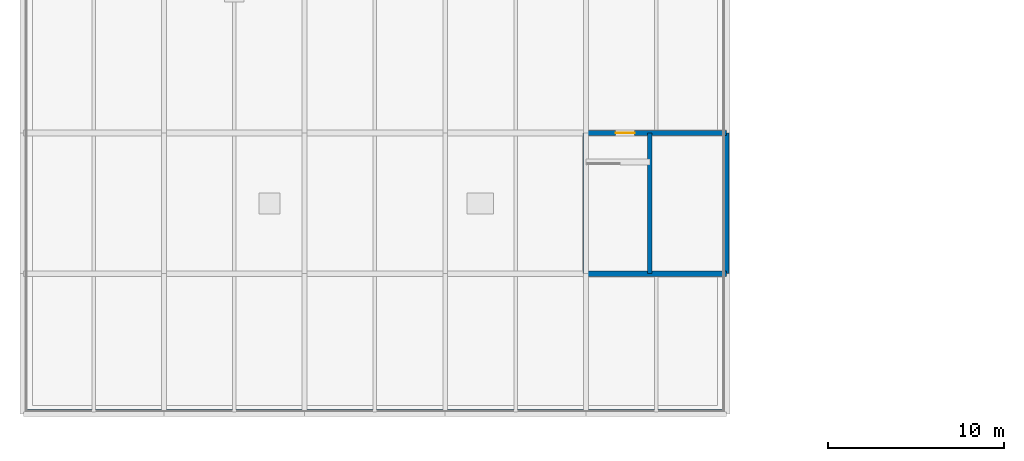
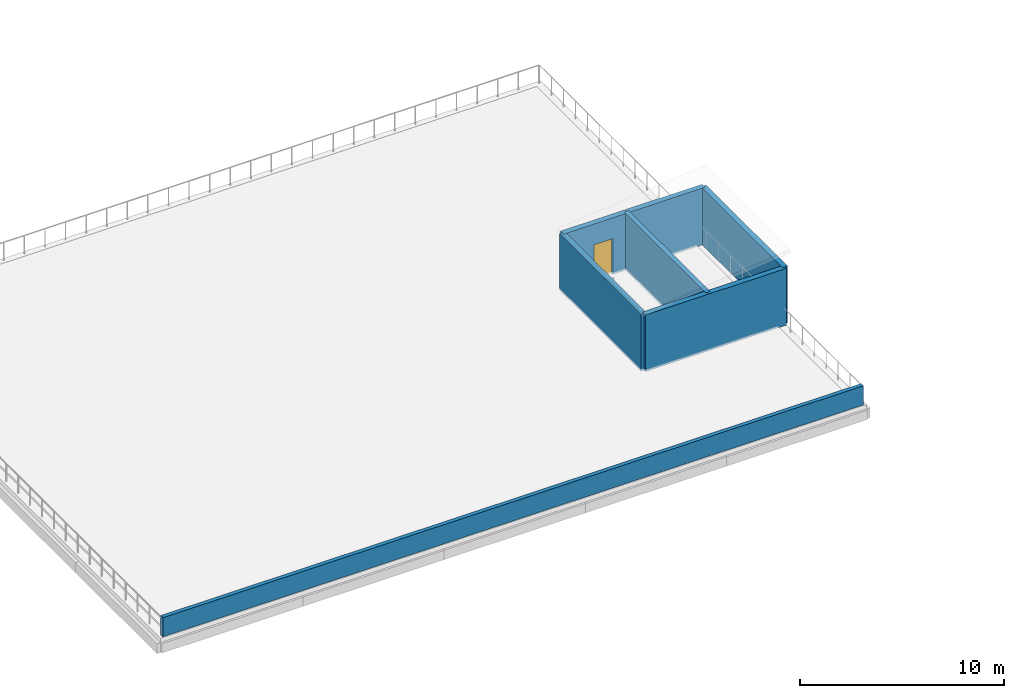
# One storey, part 6 of 15: 6 walls, 1 door, 1 opening.
"""IFC4 building model written with IfcOpenShell, lengths in metres."""

from ifc_helpers import new_model, si_unit, direction, frame, frame_2d, origin, place, context, subcontext, project, spatial, rectangle, extrude, material, layer, layer_set, type_object, element, fill, save


model = new_model("IFC4")

# Units and contexts
model_context = context("Model", 3, precision=1e-05, world=origin(), true_north=direction((0.0, 1.0)))
body_context = subcontext(model_context, "Body", "Model", "MODEL_VIEW")
ifc_project = project(units=[si_unit("LENGTHUNIT", "METRE"), si_unit("AREAUNIT", "SQUARE_METRE"), si_unit("VOLUMEUNIT", "CUBIC_METRE"), si_unit("PLANEANGLEUNIT", "RADIAN"), si_unit("MASSUNIT", "GRAM", prefix="KILO")], contexts=[model_context])

# Site, building, storey
site_placement = place(None, origin())
site = spatial("IfcSite", under=ifc_project, at=site_placement, CompositionType="ELEMENT")
building_placement = place(site_placement, origin())
building = spatial("IfcBuilding", under=site, at=building_placement, Name="Vharandega Faculty of Natural Sciences", CompositionType="ELEMENT")
storey_placement = place(building_placement, frame((0.0, 0.0, 32.39990234375)))
storey = spatial("IfcBuildingStorey", under=building, at=storey_placement, Name="L08", CompositionType="ELEMENT", Elevation=32.39990234375)

# Wall
ifc_material_1 = material(Name="Concrete C40/50", Category="concrete")
ifc_layer_1 = layer(ifc_material_1, 0.260009765625, Name="Concrete C40/50")
ifc_layer_set_1 = layer_set([ifc_layer_1], Name="Concrete C40/50")
wall_type_1 = type_object("IfcWallType", Name="Lift Shaft Shear Wall 260", PredefinedType="SHEAR", material=ifc_layer_set_1)
wall_1_placement = place(storey_placement, frame((35.639892578125, 40.0, 0.0), z_axis=(0.0, 0.0, 1.0), x_axis=(0.0, 1.0, 0.0)))
element("IfcWall", 1, at=wall_1_placement, inside=storey, type_object=wall_type_1, Name="Interior Wall CW-C3-L08-DIV", PredefinedType="SHEAR", context=body_context, shape_type="SweptSolid", body=[
    extrude(rectangle(XDim=8.0, YDim=0.260009765625, at=frame_2d((4.0, 0.0))), origin(), (0.0, 0.0, 1.0), 3.400146484375),
])

# Wall, opening, door
ifc_material_2 = material(Name="Precast concrete C40/50", Category="concrete")
ifc_layer_2 = layer(ifc_material_2, 0.300048828125, Name="Precast concrete C40/50")
ifc_layer_set_2 = layer_set([ifc_layer_2], Name="Precast concrete C40/50")
wall_type_2 = type_object("IfcWallType", Name="Polychrome Precast Facade Wall 300", PredefinedType="SOLIDWALL", material=ifc_layer_set_2)
wall_2_placement = place(storey_placement, frame((32.0, 48.0, 0.0), z_axis=(0.0, 0.0, 1.0), x_axis=(1.0, 0.0, 0.0)))
wall_2 = element("IfcWall", 2, at=wall_2_placement, inside=storey, type_object=wall_type_2, Name="Exterior Wall EW-L08-C3N", PredefinedType="SOLIDWALL", context=body_context, shape_type="SweptSolid", body=[
    extrude(rectangle(XDim=8.0, YDim=0.300048828125, at=frame_2d((4.0, 0.0))), origin(), (0.0, 0.0, 1.0), 3.400146484375),
])
opening_placement = place(wall_2_placement, frame((1.699951171875, 0.0, 0.0)))
opening = element("IfcOpeningElement", 3, at=opening_placement, cuts=wall_2, Name="Opening TD-L08G", PredefinedType="OPENING", context=body_context, shape_type="SweptSolid", body=[
    extrude(rectangle(XDim=1.080078125, YDim=2.14990234375, at=frame_2d((0.5400390625, 1.074951171875))), frame((0.0, 0.16015625, 0.0), z_axis=(0.0, -1.0, 0.0), x_axis=(1.0, 0.0, 0.0)), (0.0, 0.0, 1.0), 0.320068359375),
])
ifc_material_3 = material(Name="Thermally broken glazed aluminium door", Category="aluminium")
door_type = type_object("IfcDoorType", Name="EXT-TERR-SGL-1080x2150", OperationType="NOTDEFINED", PredefinedType="DOOR", material=ifc_material_3)
door_placement = place(opening_placement, origin())
door = element("IfcDoor", 4, at=door_placement, inside=storey, type_object=door_type, Name="West Roof Garden Access Door TD-L08G", OperationType="SINGLE_SWING_RIGHT", OverallHeight=2.14990234375, OverallWidth=1.080078125, PredefinedType="DOOR", context=body_context, shape_type="SweptSolid", body=[
    extrude(rectangle(XDim=1.080078125, YDim=2.14990234375, at=frame_2d((0.5400390625, 1.074951171875))), frame((0.0, 0.02490234375, 0.0), z_axis=(0.0, -1.0, 0.0), x_axis=(1.0, 0.0, 0.0)), (0.0, 0.0, 1.0), 0.050048828125),
])
fill(opening, door)

# Walls
for number, where, z_axis, x_axis, name in (
    (5, (40.0, 40.0, 0.0), (0.0, 0.0, 1.0), (-1.0, 0.0, 0.0), "Exterior Wall EW-L08-C3S"),
    (6, (32.0, 40.0, 0.0), (0.0, 0.0, 1.0), (0.0, 1.0, 0.0), "Exterior Wall EW-L08-C3W"),
    (7, (40.0, 48.0, 0.0), (0.0, 0.0, 1.0), (0.0, -1.0, 0.0), "Exterior Wall EW-L08-C3E"),
):
    element("IfcWall", number, at=place(storey_placement, frame(where, z_axis=z_axis, x_axis=x_axis)), inside=storey, type_object=wall_type_2, Name=name, PredefinedType="SOLIDWALL", context=body_context, shape_type="SweptSolid", body=[
        extrude(rectangle(XDim=8.0, YDim=0.300048828125, at=frame_2d((4.0, 0.0))), origin(), (0.0, 0.0, 1.0), 3.400146484375),
    ])
ifc_material_4 = material(Name="Precast concrete C40/50", Category="concrete")
ifc_layer_3 = layer(ifc_material_4, 0.219970703125, Name="Precast concrete C40/50")
ifc_layer_set_3 = layer_set([ifc_layer_3], Name="Precast concrete C40/50")
wall_type_3 = type_object("IfcWallType", Name="Roof Masonry Parapet 220", PredefinedType="PARAPET", material=ifc_layer_set_3)
wall_3_placement = place(storey_placement, frame((39.85009765625, 32.14990234375, 0.0), z_axis=(0.0, 0.0, 1.0), x_axis=(-1.0, 0.0, 0.0)))
element("IfcWall", 8, at=wall_3_placement, inside=storey, type_object=wall_type_3, Name="Exterior Wall WP-L08-06", PredefinedType="PARAPET", context=body_context, shape_type="SweptSolid", body=[
    extrude(rectangle(XDim=39.7001953125, YDim=0.219970703125, at=frame_2d((19.85009765625, 0.0))), origin(), (0.0, 0.0, 1.0), 1.150146484375),
])

save(model, "model.ifc")
